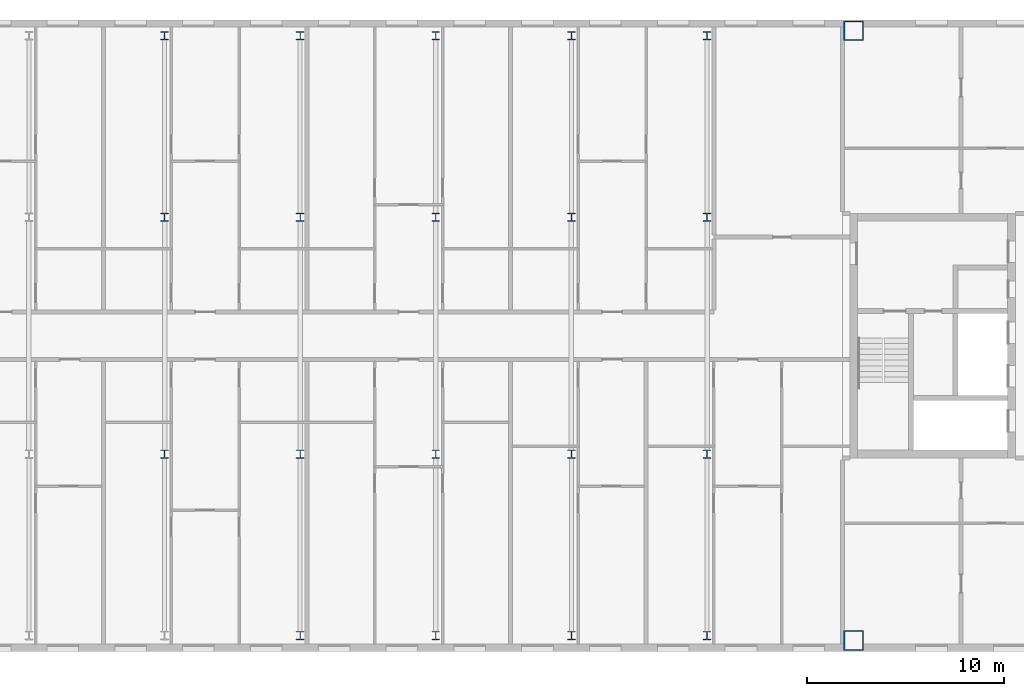
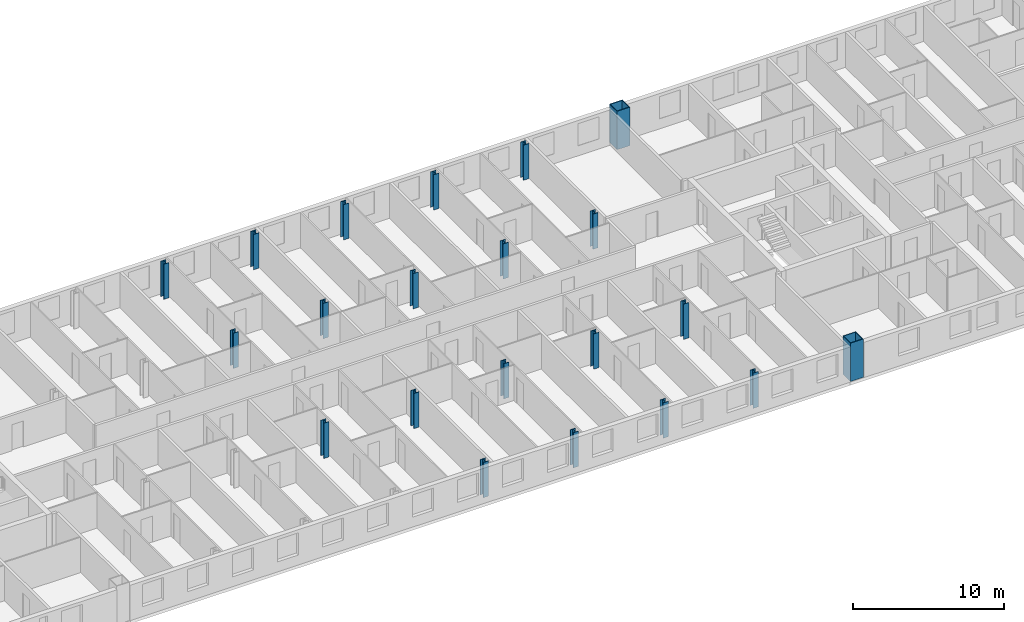
# One storey, part 2 of 19: 21 columns.
"""IFC4 building model written with IfcOpenShell, lengths in metres."""

from ifc_helpers import new_model, si_unit, direction, frame, origin, origin_2d, place, context, subcontext, project, spatial, hollow_rectangle, i_section, extrude, material, material_profile, profile_set, type_object, element, save


model = new_model("IFC4")

# Units and contexts
model_context = context("Model", 3, precision=1e-05, world=origin(), true_north=direction((0.0, 1.0)))
body_context = subcontext(model_context, "Body", "Model", "MODEL_VIEW")
ifc_project = project(units=[si_unit("LENGTHUNIT", "METRE"), si_unit("AREAUNIT", "SQUARE_METRE"), si_unit("VOLUMEUNIT", "CUBIC_METRE"), si_unit("PLANEANGLEUNIT", "RADIAN"), si_unit("MASSUNIT", "GRAM", prefix="KILO")], contexts=[model_context])

# Site, building, storey
site_placement = place(None, origin())
site = spatial("IfcSite", under=ifc_project, at=site_placement, CompositionType="ELEMENT")
building_placement = place(site_placement, origin())
building = spatial("IfcBuilding", under=site, at=building_placement, Name="Tuart Gate Housing", CompositionType="ELEMENT")
storey_placement = place(building_placement, frame((0.0, 0.0, 212.10009765625)))
storey = spatial("IfcBuildingStorey", under=building, at=storey_placement, Name="L60", CompositionType="ELEMENT", Elevation=212.10009765625)

# Columns
ifc_material_1 = material(Name="Steel Grade 350", Category="steel")
ifc_material_profile_1 = material_profile(ifc_material_1, i_section(OverallWidth=0.39990234375, OverallDepth=0.429931640625, WebThickness=0.0400390625, FlangeThickness=0.0400390625, at=origin_2d()), Name="400WC361")
ifc_profile_set_1 = profile_set([ifc_material_profile_1], Name="Steel Grade 350")
column_type_1 = type_object("IfcColumnType", Name="Link column 400 WC361", PredefinedType="COLUMN", material=ifc_profile_set_1)
for number, where, z_axis, x_axis, name in (
    (1, (103.5, 54.800048828125, 0.0), (0.0, 0.0, 1.0), (1.0, 0.0, 0.0), "Link column line 1 point 4 L60"),
    (2, (110.375, 54.800048828125, 0.0), (0.0, 0.0, 1.0), (1.0, 0.0, 0.0), "Link column line 1 point 5 L60"),
    (3, (117.25, 54.800048828125, 0.0), (0.0, 0.0, 1.0), (1.0, 0.0, 0.0), "Link column line 1 point 6 L60"),
    (4, (124.125, 54.800048828125, 0.0), (0.0, 0.0, 1.0), (1.0, 0.0, 0.0), "Link column line 1 point 7 L60"),
    (5, (96.625, 64.0, 0.0), (0.0, 0.0, 1.0), (1.0, 0.0, 0.0), "Link column line 2 point 3 L60"),
    (6, (103.5, 64.0, 0.0), (0.0, 0.0, 1.0), (1.0, 0.0, 0.0), "Link column line 2 point 4 L60"),
    (7, (110.375, 64.0, 0.0), (0.0, 0.0, 1.0), (1.0, 0.0, 0.0), "Link column line 2 point 5 L60"),
    (8, (117.25, 64.0, 0.0), (0.0, 0.0, 1.0), (1.0, 0.0, 0.0), "Link column line 2 point 6 L60"),
    (9, (124.125, 64.0, 0.0), (0.0, 0.0, 1.0), (1.0, 0.0, 0.0), "Link column line 2 point 7 L60"),
    (10, (96.625, 76.0, 0.0), (0.0, 0.0, 1.0), (1.0, 0.0, 0.0), "Link column line 3 point 3 L60"),
    (11, (103.5, 76.0, 0.0), (0.0, 0.0, 1.0), (1.0, 0.0, 0.0), "Link column line 3 point 4 L60"),
    (12, (110.375, 76.0, 0.0), (0.0, 0.0, 1.0), (1.0, 0.0, 0.0), "Link column line 3 point 5 L60"),
    (13, (117.25, 76.0, 0.0), (0.0, 0.0, 1.0), (1.0, 0.0, 0.0), "Link column line 3 point 6 L60"),
    (14, (124.125, 76.0, 0.0), (0.0, 0.0, 1.0), (1.0, 0.0, 0.0), "Link column line 3 point 7 L60"),
    (15, (96.625, 85.199951171875, 0.0), (0.0, 0.0, 1.0), (1.0, 0.0, 0.0), "Link column line 4 point 3 L60"),
    (16, (103.5, 85.199951171875, 0.0), (0.0, 0.0, 1.0), (1.0, 0.0, 0.0), "Link column line 4 point 4 L60"),
    (17, (110.375, 85.199951171875, 0.0), (0.0, 0.0, 1.0), (1.0, 0.0, 0.0), "Link column line 4 point 5 L60"),
    (18, (117.25, 85.199951171875, 0.0), (0.0, 0.0, 1.0), (1.0, 0.0, 0.0), "Link column line 4 point 6 L60"),
    (19, (124.125, 85.199951171875, 0.0), (0.0, 0.0, 1.0), (1.0, 0.0, 0.0), "Link column line 4 point 7 L60"),
):
    element("IfcColumn", number, at=place(storey_placement, frame(where, z_axis=z_axis, x_axis=x_axis)), inside=storey, type_object=column_type_1, Name=name, PredefinedType="COLUMN", context=body_context, shape_type="SweptSolid", body=[
        extrude(i_section(OverallWidth=0.39990234375, OverallDepth=0.429931640625, WebThickness=0.0400390625, FlangeThickness=0.0400390625, at=origin_2d()), origin(), (0.0, 0.0, 1.0), 2.849853515625),
    ])
ifc_material_2 = material(Name="Steel Grade 350", Category="steel")
ifc_material_profile_2 = material_profile(ifc_material_2, hollow_rectangle(XDim=1.0, YDim=1.0, WallThickness=0.054931640625, at=origin_2d()), Name="BOX 1000x1000x55")
ifc_profile_set_2 = profile_set([ifc_material_profile_2], Name="Steel Grade 350")
column_type_2 = type_object("IfcColumnType", Name="Mega column BOX 1000x1000x55", PredefinedType="COLUMN", material=ifc_profile_set_2)
for number, where, z_axis, x_axis, name in (
    (20, (131.550048828125, 54.550048828125, 0.0), (0.0, 0.0, 1.0), (1.0, 0.0, 0.0), "Mega column B south-west L60"),
    (21, (131.550048828125, 85.449951171875, 0.0), (0.0, 0.0, 1.0), (1.0, 0.0, 0.0), "Mega column B north-west L60"),
):
    element("IfcColumn", number, at=place(storey_placement, frame(where, z_axis=z_axis, x_axis=x_axis)), inside=storey, type_object=column_type_2, Name=name, PredefinedType="COLUMN", context=body_context, shape_type="SweptSolid", body=[
        extrude(hollow_rectangle(XDim=1.0, YDim=1.0, WallThickness=0.054931640625, at=origin_2d()), origin(), (0.0, 0.0, 1.0), 3.099853515625),
    ])

save(model, "model.ifc")
